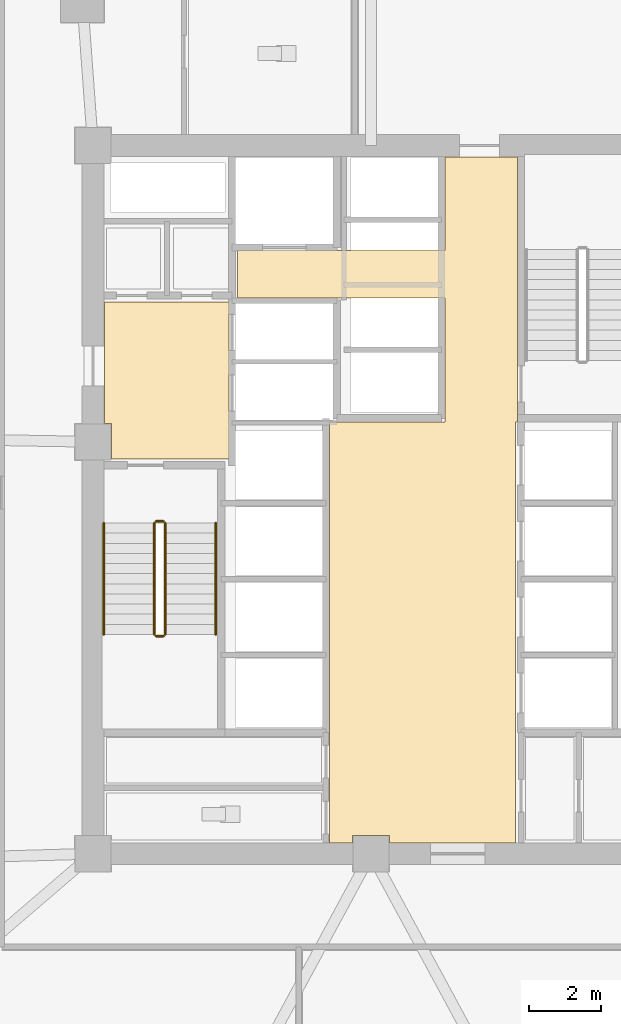
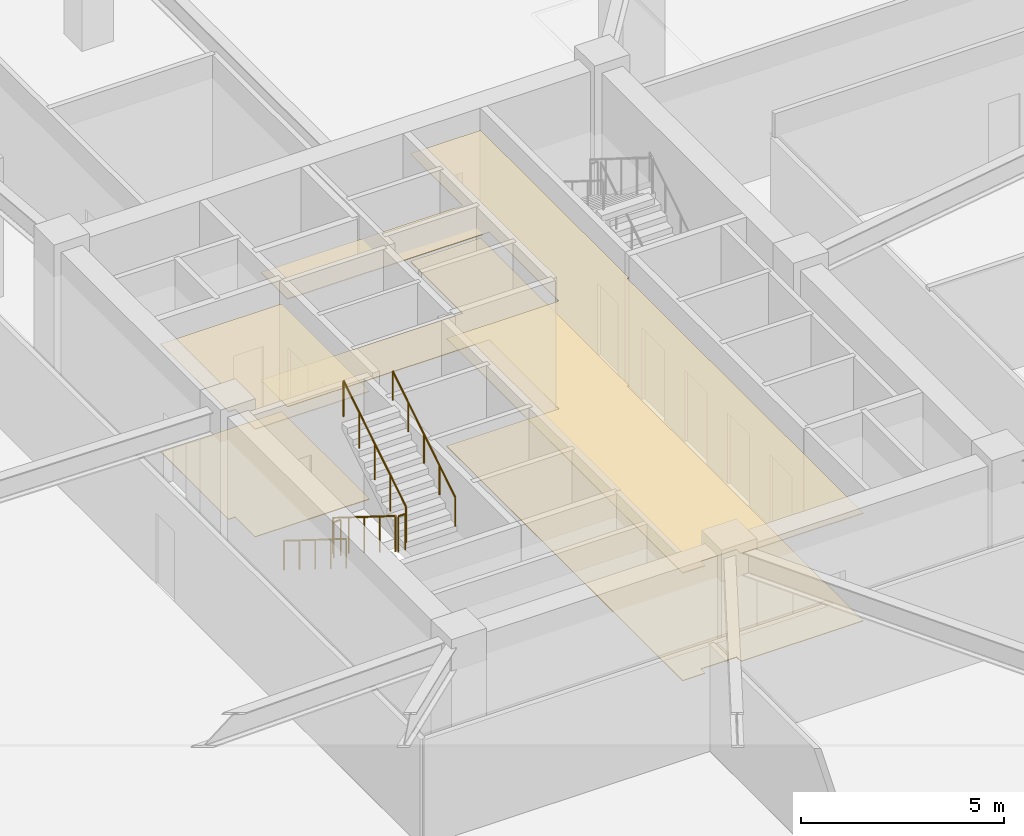
# One storey, part 16 of 21: 6 railings, 4 coverings.
"""IFC4 building model written with IfcOpenShell, lengths in metres."""

import ifcopenshell
import ifcopenshell.guid

model = None  # the IFC model being written
_history = None  # IfcOwnerHistory: only IFC2X3 demands one
_inside = {}  # id of a spatial element -> (the spatial element, [elements in it])
_under = {}  # id of a project, library or spatial element -> (it, [spatial elements below it])
_declared = {}  # id of a project -> (the project, [libraries it declares])
_typed = {}  # id of a type object -> (the type object, [elements of that type])
_made_of = {}  # id of a material, layer set ... -> (it, [elements and type objects made of it])


def new_model(schema):
    """Start an empty IFC model of exactly this schema.

    Asked for "IFC4X3", IfcOpenShell would pick the latest addendum, in which some entities
    have other attributes; the version numbers below select the first issue.
    IFC2X3 requires an IfcOwnerHistory on every rooted entity: one is made here for all.
    """
    global model, _history
    if schema == "IFC4X3":
        model = ifcopenshell.file(schema_version=(4, 3, 0, 0))
    else:
        model = ifcopenshell.file(schema=schema)
    _inside.clear()
    _under.clear()
    _declared.clear()
    _typed.clear()
    _made_of.clear()
    _history = None
    if model.schema == "IFC2X3":
        org = make("IfcOrganization", Name="unknown")
        user = make(
            "IfcPersonAndOrganization",
            ThePerson=make("IfcPerson", FamilyName="unknown"),
            TheOrganization=org,
        )
        app = make(
            "IfcApplication",
            ApplicationDeveloper=org,
            Version="unknown",
            ApplicationFullName="unknown",
            ApplicationIdentifier="unknown",
        )
        _history = make(
            "IfcOwnerHistory",
            OwningUser=user,
            OwningApplication=app,
            ChangeAction="ADDED",
            CreationDate=0,
        )
    return model


def make(cls, **values):
    """One entity of the class cls with the attributes given. An attribute that is None is left unset."""
    return model.create_entity(
        cls, **{name: value for name, value in values.items() if value is not None}
    )


def rooted(cls, **values):
    """An entity with a GlobalId (a new one), such as an element, a storey or a relation."""
    return make(cls, GlobalId=ifcopenshell.guid.new(), OwnerHistory=_history, **values)


def si_unit(unit_type, name, prefix=None):
    """IfcSIUnit, for example si_unit("LENGTHUNIT", "METRE", prefix="MILLI")."""
    return make("IfcSIUnit", UnitType=unit_type, Prefix=prefix, Name=name)


def assignment(units):
    """IfcUnitAssignment: the units of a project."""
    return None if units is None else make("IfcUnitAssignment", Units=units)


def point(xyz):
    """IfcCartesianPoint."""
    return None if xyz is None else make("IfcCartesianPoint", Coordinates=xyz)


def direction(xyz):
    """IfcDirection."""
    return None if xyz is None else make("IfcDirection", DirectionRatios=xyz)


def frame(location, z_axis=None, x_axis=None):
    """IfcAxis2Placement3D, a coordinate frame: its origin and axes. An axis left out is left unset."""
    return make(
        "IfcAxis2Placement3D",
        Location=point(location),
        Axis=direction(z_axis),
        RefDirection=direction(x_axis),
    )


def frame_2d(location, x_axis=None):
    """IfcAxis2Placement2D, a coordinate frame in the plane: its origin and x axis."""
    return make(
        "IfcAxis2Placement2D", Location=point(location), RefDirection=direction(x_axis)
    )


def origin():
    """The frame at (0, 0, 0) with its axes left unset."""
    return frame((0.0, 0.0, 0.0))


def origin_2d():
    """The frame at (0, 0) in the plane with its x axis left unset."""
    return frame_2d((0.0, 0.0))


def place(relative_to, where):
    """IfcLocalPlacement: puts the frame where relative to a parent placement (None: the world)."""
    return make(
        "IfcLocalPlacement", PlacementRelTo=relative_to, RelativePlacement=where
    )


def context(
    kind, dimensions, precision=None, world=None, true_north=None, identifier=None
):
    """IfcGeometricRepresentationContext, for example the 3D "Model" context."""
    return make(
        "IfcGeometricRepresentationContext",
        ContextIdentifier=identifier,
        ContextType=kind,
        CoordinateSpaceDimension=dimensions,
        Precision=precision,
        WorldCoordinateSystem=world,
        TrueNorth=true_north,
    )


def subcontext(parent, identifier, kind, view, scale=None):
    """IfcGeometricRepresentationSubContext, for example "Body" below "Model"."""
    return make(
        "IfcGeometricRepresentationSubContext",
        ContextIdentifier=identifier,
        ContextType=kind,
        ParentContext=parent,
        TargetScale=scale,
        TargetView=view,
    )


def project(units=None, contexts=None):
    """IfcProject with its units and contexts."""
    return rooted(
        "IfcProject",
        Name="project",
        RepresentationContexts=contexts,
        UnitsInContext=assignment(units),
    )


def spatial(cls, under=None, at=None, **own):
    """A site, building, storey or space (cls), placed at a placement, below another one or the project."""
    s = rooted(cls, ObjectPlacement=at, **own)
    if under is not None:
        _under.setdefault(under.id(), (under, []))[1].append(s)
    return s


def polyline(points):
    """IfcPolyline through the points."""
    return make("IfcPolyline", Points=[point(p) for p in points])


def profile(cls, at=None, kind="AREA", **sizes):
    """A parametric profile (cls). Its sizes go by their IFC names, for example OverallWidth=200.0."""
    return make(cls, ProfileType=kind, Position=at, **sizes)


def circle(**sizes):
    """IfcCircleProfileDef."""
    return profile("IfcCircleProfileDef", **sizes)


def outline(outer, holes=None, kind="AREA"):
    """IfcArbitraryClosedProfileDef: a profile drawn as a closed curve; with holes, ...WithVoids."""
    if holes is None:
        return make("IfcArbitraryClosedProfileDef", ProfileType=kind, OuterCurve=outer)
    return make(
        "IfcArbitraryProfileDefWithVoids",
        ProfileType=kind,
        OuterCurve=outer,
        InnerCurves=holes,
    )


def extrude(swept, where, along, depth):
    """IfcExtrudedAreaSolid: the profile swept, set in the frame where, extruded along a direction by depth."""
    return make(
        "IfcExtrudedAreaSolid",
        SweptArea=swept,
        Position=where,
        ExtrudedDirection=direction(along),
        Depth=depth,
    )


def shape(context_of_items, identifier, shape_type, items):
    """IfcShapeRepresentation: the items that make up one representation, for example the "Body"."""
    return make(
        "IfcShapeRepresentation",
        ContextOfItems=context_of_items,
        RepresentationIdentifier=identifier,
        RepresentationType=shape_type,
        Items=items,
    )


def material(Name=None, Category=None):
    """IfcMaterial."""
    return make("IfcMaterial", Name=Name, Category=Category)


def layer(
    of_material, thickness, ventilated=None, Name=None, Category=None, Priority=None
):
    """IfcMaterialLayer: one layer of a wall or slab, of a material (None: an air gap)."""
    return make(
        "IfcMaterialLayer",
        Material=of_material,
        LayerThickness=thickness,
        IsVentilated=ventilated,
        Name=Name,
        Category=Category,
        Priority=Priority,
    )


def layer_set(layers, Name=None):
    """IfcMaterialLayerSet."""
    return make("IfcMaterialLayerSet", MaterialLayers=layers, LayerSetName=Name)


def made_of(thing, what):
    """Note that an element or type object is made of a material, layer set ...; save() writes the relation."""
    if what is not None:
        _made_of.setdefault(what.id(), (what, []))[1].append(thing)
    return thing


def type_object(cls, material=None, **own):
    """A type object (cls), such as IfcWallType, which elements share."""
    return made_of(rooted(cls, **own), material)


def element(
    cls,
    number,
    at=None,
    inside=None,
    cuts=None,
    type_object=None,
    material=None,
    context=None,
    identifier="Body",
    shape_type=None,
    held_by="IfcProductDefinitionShape",
    body=None,
    shapes=None,
    **own,
):
    """One element of the class cls, such as IfcWall. Its Tag is "e" and its number.

    at: its placement. inside: the storey or other place that contains it. cuts: it is an
    opening in that element (IfcRelVoidsElement). A single representation is given by context,
    identifier, shape_type and body (its items); several are given by shapes. held_by: the class
    of the entity that holds the representations. save() writes the other relations.
    """
    e = rooted(cls, Tag="e%d" % number, ObjectPlacement=at, **own)
    if body is not None:
        shapes = [shape(context, identifier, shape_type, body)]
    if shapes is not None:
        e.Representation = make(held_by, Representations=shapes)
    if inside is not None:
        _inside.setdefault(inside.id(), (inside, []))[1].append(e)
    if cuts is not None:
        rooted(
            "IfcRelVoidsElement", RelatingBuildingElement=cuts, RelatedOpeningElement=e
        )
    if type_object is not None:
        _typed.setdefault(type_object.id(), (type_object, []))[1].append(e)
    return made_of(e, material)


def aggregate(whole, parts):
    """IfcRelAggregates: a whole, such as a stair, and the parts it consists of."""
    return rooted("IfcRelAggregates", RelatingObject=whole, RelatedObjects=parts)


def save(model, path):
    """Write the relations noted so far, then the file.

    IfcRelAggregates (storeys below a building ...), IfcRelContainedInSpatialStructure (elements
    in a storey), IfcRelDefinesByType, IfcRelAssociatesMaterial and IfcRelDeclares: one each for
    every whole, place, type object, material and project.
    """
    for whole, parts in _under.values():
        aggregate(whole, parts)
    for where, things in _inside.values():
        rooted(
            "IfcRelContainedInSpatialStructure",
            RelatedElements=things,
            RelatingStructure=where,
        )
    for kind, things in _typed.values():
        rooted("IfcRelDefinesByType", RelatedObjects=things, RelatingType=kind)
    for what, things in _made_of.values():
        rooted("IfcRelAssociatesMaterial", RelatedObjects=things, RelatingMaterial=what)
    for by, libraries in _declared.values():
        rooted("IfcRelDeclares", RelatingContext=by, RelatedDefinitions=libraries)
    model.write(path)


model = new_model("IFC4")

# Units and contexts
model_context = context("Model", 3, precision=1e-05, world=origin(), true_north=direction((0.0, 1.0)))
body_context = subcontext(model_context, "Body", "Model", "MODEL_VIEW")
ifc_project = project(units=[si_unit("LENGTHUNIT", "METRE"), si_unit("AREAUNIT", "SQUARE_METRE"), si_unit("VOLUMEUNIT", "CUBIC_METRE"), si_unit("PLANEANGLEUNIT", "RADIAN"), si_unit("MASSUNIT", "GRAM", prefix="KILO")], contexts=[model_context])

# Site, building, storey
site_placement = place(None, origin())
site = spatial("IfcSite", under=ifc_project, at=site_placement, CompositionType="ELEMENT")
building_placement = place(site_placement, origin())
building = spatial("IfcBuilding", under=site, at=building_placement, Name="Savorim Split Tower", CompositionType="ELEMENT")
storey_placement = place(building_placement, frame((0.0, 0.0, 9.199951171875)))
storey = spatial("IfcBuildingStorey", under=building, at=storey_placement, Name="L02", CompositionType="ELEMENT", Elevation=9.199951171875)

# Coverings
ifc_material_1 = material(Name="Mineral Fibre Acoustic Ceiling")
ifc_layer_1 = layer(ifc_material_1, 0.02490234375)
ifc_layer_set_1 = layer_set([ifc_layer_1], Name="COV-CEIL-25")
covering_type_1 = type_object("IfcCoveringType", Name="COV-CEIL-25", PredefinedType="CEILING", material=ifc_layer_set_1)
covering_1_placement = place(storey_placement, frame((0.0, 0.0, 3.239990234375)))
element("IfcCovering", 1, at=covering_1_placement, inside=storey, type_object=covering_type_1, Name="L02 Firefighting Lift Lobby Acoustic Ceiling", PredefinedType="CEILING", context=body_context, shape_type="SweptSolid", body=[
    extrude(outline(polyline([(-3.929931640625, 5.8701171875), (-7.3798828125, 5.8701171875), (-7.3798828125, 2.510009765625), (-7.18994140625, 2.510009765625), (-7.18994140625, 1.530029296875), (-3.929931640625, 1.530029296875), (-3.929931640625, 5.8701171875)])), origin(), (0.0, 0.0, 1.0), 0.025146484375),
])
covering_2_placement = place(storey_placement, frame((0.0, 0.0, 3.239990234375)))
element("IfcCovering", 2, at=covering_2_placement, inside=storey, type_object=covering_type_1, Name="L02 Lift Lobby Acoustic Ceiling", PredefinedType="CEILING", context=body_context, shape_type="SweptSolid", body=[
    extrude(outline(polyline([(2.050048828125, 2.550048828125), (-1.14990234375, 2.550048828125), (-1.14990234375, -9.10009765625), (-0.510009765625, -9.10009765625), (-0.510009765625, -8.889892578125), (0.510009765625, -8.889892578125), (0.510009765625, -9.10009765625), (4.0, -9.10009765625), (4.0, 2.550048828125), (4.050048828125, 2.550048828125), (4.050048828125, 5.97998046875), (4.050048828125, 7.300048828125), (4.050048828125, 9.8798828125), (2.050048828125, 9.8798828125), (2.050048828125, 7.300048828125), (-3.699951171875, 7.300048828125), (-3.699951171875, 5.97998046875), (2.050048828125, 5.97998046875), (2.050048828125, 2.550048828125)])), origin(), (0.0, 0.0, 1.0), 0.025146484375),
])
ifc_material_2 = material(Name="Porcelain Stoneware Flooring", Category="masonry")
ifc_layer_2 = layer(ifc_material_2, 0.02001953125)
ifc_layer_set_2 = layer_set([ifc_layer_2], Name="COV-FLOR-20")
covering_type_2 = type_object("IfcCoveringType", Name="COV-FLOR-20", PredefinedType="FLOORING", material=ifc_layer_set_2)
covering_3_placement = place(storey_placement, origin())
element("IfcCovering", 3, at=covering_3_placement, inside=storey, type_object=covering_type_2, Name="L02 Firefighting Lift Lobby Porcelain Flooring", PredefinedType="FLOORING", context=body_context, shape_type="SweptSolid", body=[
    extrude(outline(polyline([(-3.929931640625, 5.8701171875), (-7.3798828125, 5.8701171875), (-7.3798828125, 2.510009765625), (-7.18994140625, 2.510009765625), (-7.18994140625, 1.530029296875), (-3.929931640625, 1.530029296875), (-3.929931640625, 5.8701171875)])), origin(), (0.0, 0.0, 1.0), 0.02001953125),
])
covering_4_placement = place(storey_placement, origin())
element("IfcCovering", 4, at=covering_4_placement, inside=storey, type_object=covering_type_2, Name="L02 Lift Lobby Porcelain Flooring", PredefinedType="FLOORING", context=body_context, shape_type="SweptSolid", body=[
    extrude(outline(polyline([(2.050048828125, 2.550048828125), (-1.14990234375, 2.550048828125), (-1.14990234375, -9.10009765625), (-0.510009765625, -9.10009765625), (-0.510009765625, -8.889892578125), (0.510009765625, -8.889892578125), (0.510009765625, -9.10009765625), (4.0, -9.10009765625), (4.0, 2.550048828125), (4.050048828125, 2.550048828125), (4.050048828125, 5.97998046875), (4.050048828125, 7.300048828125), (4.050048828125, 9.8798828125), (2.050048828125, 9.8798828125), (2.050048828125, 7.300048828125), (-3.699951171875, 7.300048828125), (-3.699951171875, 5.97998046875), (2.050048828125, 5.97998046875), (2.050048828125, 2.550048828125)])), origin(), (0.0, 0.0, 1.0), 0.02001953125),
])

# Railings
ifc_material_3 = material(Name="Galvanised Painted Steel Balustrade", Category="steel")
railing_type_1 = type_object("IfcRailingType", Name="RLG-HR-900", PredefinedType="HANDRAIL", material=ifc_material_3)
railing_1_placement = place(storey_placement, frame((-7.39990234375, -0.25, 0.175048828125)))
element("IfcRailing", 5, at=railing_1_placement, inside=storey, type_object=railing_type_1, Name="L02 ST-1 stair handrail 1", PredefinedType="HANDRAIL", context=body_context, shape_type="SweptSolid", body=[
    extrude(circle(Radius=0.02392578125, at=origin_2d()), frame((0.0, 0.0, 0.8759765625), z_axis=(0.0, -0.847998304005, 0.529998940003), x_axis=(1.0, 0.0, 0.0)), (0.0, 0.0, 1.0), 3.632080078125),
    extrude(circle(Radius=0.02099609375, at=origin_2d()), origin(), (0.0, 0.0, 1.0), 0.851806640625),
    extrude(circle(Radius=0.02099609375, at=origin_2d()), frame((0.0, -0.77001953125, 0.481201171875)), (0.0, 0.0, 1.0), 0.851806640625),
    extrude(circle(Radius=0.02099609375, at=origin_2d()), frame((0.0, -1.5400390625, 0.96240234375)), (0.0, 0.0, 1.0), 0.851806640625),
    extrude(circle(Radius=0.02099609375, at=origin_2d()), frame((0.0, -2.31005859375, 1.44384765625)), (0.0, 0.0, 1.0), 0.851806640625),
    extrude(circle(Radius=0.02099609375, at=origin_2d()), frame((0.0, -3.080078125, 1.925048828125)), (0.0, 0.0, 1.0), 0.851806640625),
])
railing_2_placement = place(storey_placement, frame((-4.300048828125, -3.330078125, 2.275146484375)))
element("IfcRailing", 6, at=railing_2_placement, inside=storey, type_object=railing_type_1, Name="L02 ST-1 stair handrail 2", PredefinedType="HANDRAIL", context=body_context, shape_type="SweptSolid", body=[
    extrude(circle(Radius=0.02392578125, at=origin_2d()), frame((0.0, 0.0, 0.8759765625), z_axis=(0.0, 0.848028513186, 0.529950602248), x_axis=(-1.0, 0.0, 0.0)), (0.0, 0.0, 1.0), 3.632080078125),
    extrude(circle(Radius=0.02099609375, at=origin_2d()), origin(), (0.0, 0.0, 1.0), 0.851806640625),
    extrude(circle(Radius=0.02099609375, at=origin_2d()), frame((0.0, 0.77001953125, 0.481201171875)), (0.0, 0.0, 1.0), 0.851806640625),
    extrude(circle(Radius=0.02099609375, at=origin_2d()), frame((0.0, 1.5400390625, 0.96240234375)), (0.0, 0.0, 1.0), 0.851806640625),
    extrude(circle(Radius=0.02099609375, at=origin_2d()), frame((0.0, 2.31005859375, 1.443603515625)), (0.0, 0.0, 1.0), 0.851806640625),
    extrude(circle(Radius=0.02099609375, at=origin_2d()), frame((0.0, 3.080078125, 1.9248046875)), (0.0, 0.0, 1.0), 0.851806640625),
])
railing_type_2 = type_object("IfcRailingType", Name="RLG-STG-1100", PredefinedType="BALUSTRADE", material=ifc_material_3)
railing_3_placement = place(storey_placement, frame((-6.0, -0.25, 0.175048828125)))
element("IfcRailing", 7, at=railing_3_placement, inside=storey, type_object=railing_type_2, Name="L02 ST-1 stair guard 1", PredefinedType="BALUSTRADE", context=body_context, shape_type="SweptSolid", body=[
    extrude(circle(Radius=0.02392578125, at=origin_2d()), frame((0.0, 0.0, 1.076171875), z_axis=(0.0, -0.847998304005, 0.529998940003), x_axis=(1.0, 0.0, 0.0)), (0.0, 0.0, 1.0), 3.632080078125),
    extrude(circle(Radius=0.02099609375, at=origin_2d()), origin(), (0.0, 0.0, 1.0), 1.052001953125),
    extrude(circle(Radius=0.02099609375, at=origin_2d()), frame((0.0, -0.77001953125, 0.481201171875)), (0.0, 0.0, 1.0), 1.052001953125),
    extrude(circle(Radius=0.02099609375, at=origin_2d()), frame((0.0, -1.5400390625, 0.96240234375)), (0.0, 0.0, 1.0), 1.052001953125),
    extrude(circle(Radius=0.02099609375, at=origin_2d()), frame((0.0, -2.31005859375, 1.44384765625)), (0.0, 0.0, 1.0), 1.052001953125),
    extrude(circle(Radius=0.02099609375, at=origin_2d()), frame((0.0, -3.080078125, 1.925048828125)), (0.0, 0.0, 1.0), 1.052001953125),
])
railing_4_placement = place(storey_placement, frame((-5.949951171875, -3.3798828125, 2.10009765625)))
element("IfcRailing", 8, at=railing_4_placement, inside=storey, type_object=railing_type_2, Name="L02 ST-1 stair guard 2", PredefinedType="BALUSTRADE", context=body_context, shape_type="SweptSolid", body=[
    extrude(circle(Radius=0.02392578125, at=origin_2d()), frame((0.0, 0.0, 1.076171875), z_axis=(1.0, 0.0, 0.0), x_axis=(0.0, 1.0, 0.0)), (0.0, 0.0, 1.0), 0.199951171875),
    extrude(circle(Radius=0.02099609375, at=origin_2d()), origin(), (0.0, 0.0, 1.0), 1.052001953125),
    extrude(circle(Radius=0.02099609375, at=origin_2d()), frame((0.199951171875, 0.0, 0.0)), (0.0, 0.0, 1.0), 1.052001953125),
])
railing_5_placement = place(storey_placement, frame((-5.699951171875, -3.330078125, 2.275146484375)))
element("IfcRailing", 9, at=railing_5_placement, inside=storey, type_object=railing_type_2, Name="L02 ST-1 stair guard 3", PredefinedType="BALUSTRADE", context=body_context, shape_type="SweptSolid", body=[
    extrude(circle(Radius=0.02392578125, at=origin_2d()), frame((0.0, 0.0, 1.076171875), z_axis=(0.0, 0.848028513186, 0.529950602248), x_axis=(-1.0, 0.0, 0.0)), (0.0, 0.0, 1.0), 3.632080078125),
    extrude(circle(Radius=0.02099609375, at=origin_2d()), origin(), (0.0, 0.0, 1.0), 1.052001953125),
    extrude(circle(Radius=0.02099609375, at=origin_2d()), frame((0.0, 0.77001953125, 0.481201171875)), (0.0, 0.0, 1.0), 1.052001953125),
    extrude(circle(Radius=0.02099609375, at=origin_2d()), frame((0.0, 1.5400390625, 0.96240234375)), (0.0, 0.0, 1.0), 1.052001953125),
    extrude(circle(Radius=0.02099609375, at=origin_2d()), frame((0.0, 2.31005859375, 1.443603515625)), (0.0, 0.0, 1.0), 1.052001953125),
    extrude(circle(Radius=0.02099609375, at=origin_2d()), frame((0.0, 3.080078125, 1.9248046875)), (0.0, 0.0, 1.0), 1.052001953125),
])
railing_6_placement = place(storey_placement, frame((-5.949951171875, -0.199951171875, 0.0)))
element("IfcRailing", 10, at=railing_6_placement, inside=storey, type_object=railing_type_2, Name="L02 ST-1 stair guard 4", PredefinedType="BALUSTRADE", context=body_context, shape_type="SweptSolid", body=[
    extrude(circle(Radius=0.02392578125, at=origin_2d()), frame((0.0, 0.0, 1.076171875), z_axis=(1.0, 0.0, 0.0), x_axis=(0.0, 1.0, 0.0)), (0.0, 0.0, 1.0), 0.199951171875),
    extrude(circle(Radius=0.02099609375, at=origin_2d()), origin(), (0.0, 0.0, 1.0), 1.052001953125),
    extrude(circle(Radius=0.02099609375, at=origin_2d()), frame((0.199951171875, 0.0, 0.0)), (0.0, 0.0, 1.0), 1.052001953125),
])

save(model, "model.ifc")
